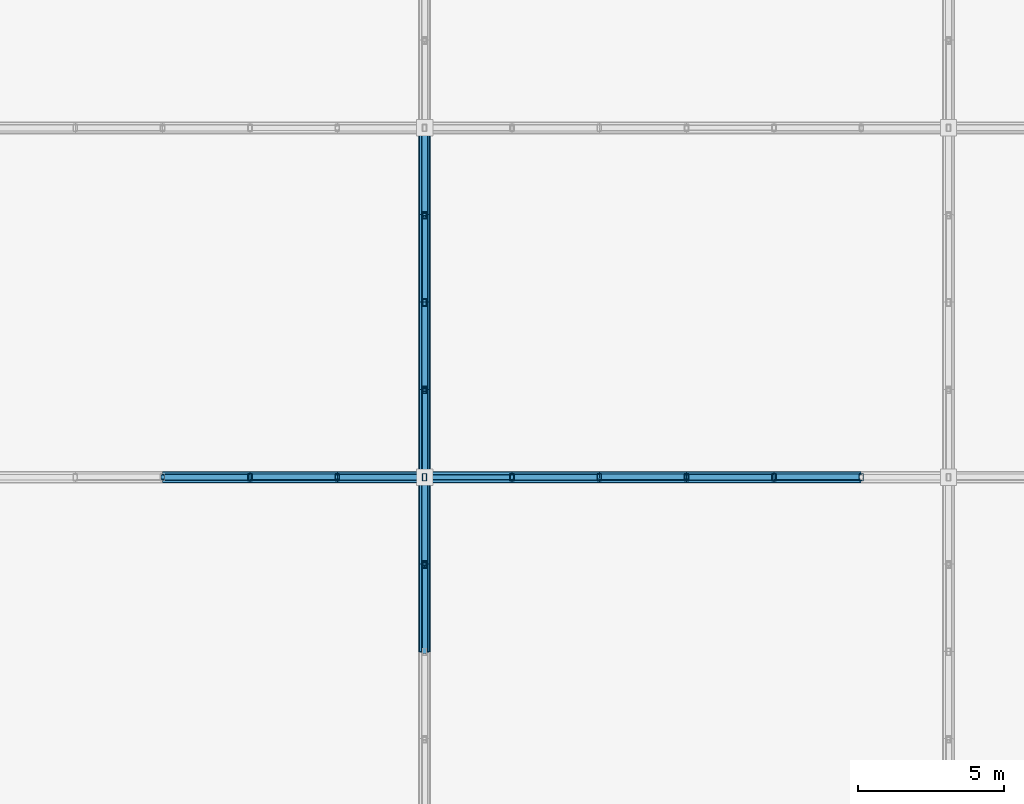
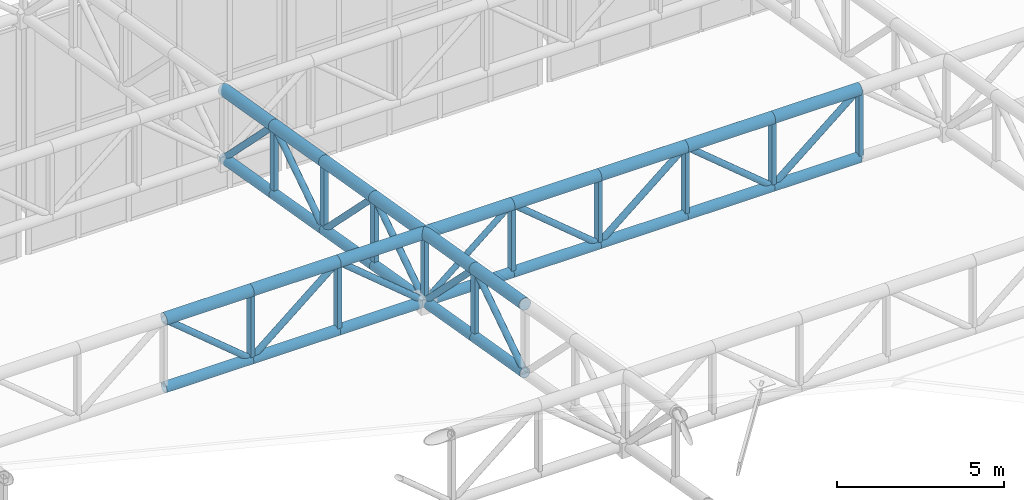
# One storey, part 120 of 239: 54 members.
"""IFC4 building model written with IfcOpenShell, lengths in metres."""

from ifc_helpers import new_model, si_unit, direction, frame, origin, origin_2d, place, context, subcontext, project, spatial, hollow_rectangle, hollow_circle, extrude, material, material_profile, profile_set, type_object, element, save


model = new_model("IFC4")

# Units and contexts
model_context = context("Model", 3, precision=1e-05, world=origin(), true_north=direction((0.0, 1.0)))
body_context = subcontext(model_context, "Body", "Model", "MODEL_VIEW")
ifc_project = project(units=[si_unit("LENGTHUNIT", "METRE"), si_unit("AREAUNIT", "SQUARE_METRE"), si_unit("VOLUMEUNIT", "CUBIC_METRE"), si_unit("PLANEANGLEUNIT", "RADIAN"), si_unit("MASSUNIT", "GRAM", prefix="KILO")], contexts=[model_context])

# Site, building, storey
site_placement = place(None, origin())
site = spatial("IfcSite", under=ifc_project, at=site_placement, CompositionType="ELEMENT")
building_placement = place(site_placement, origin())
building = spatial("IfcBuilding", under=site, at=building_placement, Name="Kaldris Quays Convention Centre", CompositionType="ELEMENT")
storey_placement = place(building_placement, frame((0.0, 0.0, 11.39990234375)))
storey = spatial("IfcBuildingStorey", under=building, at=storey_placement, Name="L02", CompositionType="ELEMENT", Elevation=11.39990234375)

# Members
ifc_material = material(Name="Steel S355J2H", Category="steel")
ifc_material_profile_1 = material_profile(ifc_material, hollow_circle(Radius=0.203125, WallThickness=0.01611328125, at=origin_2d()), Name="CHS 406.4x16")
ifc_profile_set_1 = profile_set([ifc_material_profile_1], Name="Steel S355J2H")
member_type_1 = type_object("IfcMemberType", Name="STRUCTURAL MEMBER SC01", PredefinedType="CHORD", material=ifc_profile_set_1)
for number, where, z_axis, x_axis, name in (
    (1, (83.0, 116.0, 13.7861328125), (1.0, 0.0, 0.0), (0.0, 1.0, 0.0), "SF-V1 Top Chord X 232"),
    (2, (86.0, 116.0, 13.7861328125), (1.0, 0.0, 0.0), (0.0, 1.0, 0.0), "SF-V1 Top Chord X 233"),
    (3, (89.0, 116.0, 13.7861328125), (1.0, 0.0, 0.0), (0.0, 1.0, 0.0), "SF-V1 Top Chord X 234"),
    (4, (92.0, 116.0, 13.7861328125), (1.0, 0.0, 0.0), (0.0, 1.0, 0.0), "SF-V1 Top Chord X 235"),
    (5, (95.0, 116.0, 13.7861328125), (1.0, 0.0, 0.0), (0.0, 1.0, 0.0), "SF-V1 Top Chord X 236"),
    (6, (98.0, 116.0, 13.7861328125), (1.0, 0.0, 0.0), (0.0, 1.0, 0.0), "SF-V1 Top Chord X 237"),
    (7, (101.0, 116.0, 13.7861328125), (1.0, 0.0, 0.0), (0.0, 1.0, 0.0), "SF-V1 Top Chord X 238"),
    (8, (104.0, 116.0, 13.7861328125), (1.0, 0.0, 0.0), (0.0, 1.0, 0.0), "SF-V1 Top Chord X 239"),
):
    element("IfcMember", number, at=place(storey_placement, frame(where, z_axis=z_axis, x_axis=x_axis)), inside=storey, type_object=member_type_1, Name=name, PredefinedType="CHORD", context=body_context, shape_type="SweptSolid", body=[
        extrude(hollow_circle(Radius=0.203125, WallThickness=0.01611328125, at=origin_2d()), origin(), (0.0, 0.0, 1.0), 3.0),
    ])
for number, where, z_axis, x_axis, name in (
    (9, (92.0, 110.0, 14.814697265625), (0.0, 0.98562912375, -0.168923741424), (-1.0, 0.0, 0.0), "SF-V1 Top Chord Y 467"),
    (10, (92.0, 113.0, 14.300537109375), (0.0, 0.985615766076, -0.169001661712), (-1.0, 0.0, 0.0), "SF-V1 Top Chord Y 468"),
    (11, (92.0, 116.0, 13.7861328125), (0.0, 0.98562912375, -0.168923741424), (-1.0, 0.0, 0.0), "SF-V1 Top Chord Y 469"),
    (12, (92.0, 119.0, 13.27197265625), (0.0, 0.985615766076, -0.169001661712), (-1.0, 0.0, 0.0), "SF-V1 Top Chord Y 470"),
    (13, (92.0, 122.0, 12.757568359375), (0.0, 0.98562912375, -0.168923741424), (-1.0, 0.0, 0.0), "SF-V1 Top Chord Y 471"),
    (14, (92.0, 125.0, 12.243408203125), (0.0, 0.985615766076, -0.169001661712), (-1.0, 0.0, 0.0), "SF-V1 Top Chord Y 472"),
):
    element("IfcMember", number, at=place(storey_placement, frame(where, z_axis=z_axis, x_axis=x_axis)), inside=storey, type_object=member_type_1, Name=name, PredefinedType="CHORD", context=body_context, shape_type="SweptSolid", body=[
        extrude(hollow_circle(Radius=0.203125, WallThickness=0.01611328125, at=origin_2d()), origin(), (0.0, 0.0, 1.0), 3.043701171875),
    ])
ifc_material_profile_2 = material_profile(ifc_material, hollow_circle(Radius=0.177734375, WallThickness=0.01611328125, at=origin_2d()), Name="CHS 355.6x16")
ifc_profile_set_2 = profile_set([ifc_material_profile_2], Name="Steel S355J2H")
member_type_2 = type_object("IfcMemberType", Name="STRUCTURAL MEMBER SC02", PredefinedType="CHORD", material=ifc_profile_set_2)
for number, where, z_axis, x_axis, name in (
    (15, (83.0, 116.0, 11.2861328125), (1.0, 0.0, 0.0), (0.0, 1.0, 0.0), "SF-V1 Bottom Chord X 232"),
    (16, (86.0, 116.0, 11.2861328125), (1.0, 0.0, 0.0), (0.0, 1.0, 0.0), "SF-V1 Bottom Chord X 233"),
    (17, (89.0, 116.0, 11.2861328125), (1.0, 0.0, 0.0), (0.0, 1.0, 0.0), "SF-V1 Bottom Chord X 234"),
    (18, (92.0, 116.0, 11.2861328125), (1.0, 0.0, 0.0), (0.0, 1.0, 0.0), "SF-V1 Bottom Chord X 235"),
    (19, (95.0, 116.0, 11.2861328125), (1.0, 0.0, 0.0), (0.0, 1.0, 0.0), "SF-V1 Bottom Chord X 236"),
    (20, (98.0, 116.0, 11.2861328125), (1.0, 0.0, 0.0), (0.0, 1.0, 0.0), "SF-V1 Bottom Chord X 237"),
    (21, (101.0, 116.0, 11.2861328125), (1.0, 0.0, 0.0), (0.0, 1.0, 0.0), "SF-V1 Bottom Chord X 238"),
    (22, (104.0, 116.0, 11.2861328125), (1.0, 0.0, 0.0), (0.0, 1.0, 0.0), "SF-V1 Bottom Chord X 239"),
):
    element("IfcMember", number, at=place(storey_placement, frame(where, z_axis=z_axis, x_axis=x_axis)), inside=storey, type_object=member_type_2, Name=name, PredefinedType="CHORD", context=body_context, shape_type="SweptSolid", body=[
        extrude(hollow_circle(Radius=0.177734375, WallThickness=0.01611328125, at=origin_2d()), origin(), (0.0, 0.0, 1.0), 3.0),
    ])
for number, where, z_axis, x_axis, name in (
    (23, (92.0, 110.0, 12.314697265625), (0.0, 0.98562912375, -0.168923741424), (-1.0, 0.0, 0.0), "SF-V1 Bottom Chord Y 467"),
    (24, (92.0, 113.0, 11.800537109375), (0.0, 0.985615766076, -0.169001661712), (-1.0, 0.0, 0.0), "SF-V1 Bottom Chord Y 468"),
    (25, (92.0, 116.0, 11.2861328125), (0.0, 0.98562912375, -0.168923741424), (-1.0, 0.0, 0.0), "SF-V1 Bottom Chord Y 469"),
    (26, (92.0, 119.0, 10.77197265625), (0.0, 0.985615766076, -0.169001661712), (-1.0, 0.0, 0.0), "SF-V1 Bottom Chord Y 470"),
    (27, (92.0, 122.0, 10.257568359375), (0.0, 0.98562912375, -0.168923741424), (-1.0, 0.0, 0.0), "SF-V1 Bottom Chord Y 471"),
    (28, (92.0, 125.0, 9.743408203125), (0.0, 0.985615766076, -0.169001661712), (-1.0, 0.0, 0.0), "SF-V1 Bottom Chord Y 472"),
):
    element("IfcMember", number, at=place(storey_placement, frame(where, z_axis=z_axis, x_axis=x_axis)), inside=storey, type_object=member_type_2, Name=name, PredefinedType="CHORD", context=body_context, shape_type="SweptSolid", body=[
        extrude(hollow_circle(Radius=0.177734375, WallThickness=0.01611328125, at=origin_2d()), origin(), (0.0, 0.0, 1.0), 3.043701171875),
    ])
ifc_material_profile_3 = material_profile(ifc_material, hollow_circle(Radius=0.109619140625, WallThickness=0.010009765625, at=origin_2d()), Name="CHS 219.1x10")
ifc_profile_set_3 = profile_set([ifc_material_profile_3], Name="Steel S355J2H")
member_type_3 = type_object("IfcMemberType", Name="STRUCTURAL MEMBER SWB1", PredefinedType="BRACE", material=ifc_profile_set_3)
for number, where, z_axis, x_axis, name in (
    (29, (86.0, 116.0, 11.2861328125), (-0.768221279597, 0.0, 0.640184399664), (0.0, -1.0, 0.0), "SF-V1 Web Diagonal X 232"),
    (30, (86.0, 116.0, 11.2861328125), (0.768221279597, 0.0, 0.640184399664), (0.0, 1.0, 0.0), "SF-V1 Web Diagonal X 233"),
    (31, (92.0, 116.0, 11.2861328125), (-0.768221279597, 0.0, 0.640184399664), (0.0, -1.0, 0.0), "SF-V1 Web Diagonal X 234"),
    (32, (98.0, 116.0, 11.2861328125), (-0.768221279597, 0.0, 0.640184399664), (0.0, -1.0, 0.0), "SF-V1 Web Diagonal X 236"),
    (33, (98.0, 116.0, 11.2861328125), (0.768221279597, 0.0, 0.640184399664), (0.0, 1.0, 0.0), "SF-V1 Web Diagonal X 237"),
    (34, (104.0, 116.0, 11.2861328125), (-0.768221279597, 0.0, 0.640184399664), (0.0, -1.0, 0.0), "SF-V1 Web Diagonal X 238"),
    (35, (104.0, 116.0, 11.2861328125), (0.768221279597, 0.0, 0.640184399664), (0.0, 1.0, 0.0), "SF-V1 Web Diagonal X 239"),
):
    element("IfcMember", number, at=place(storey_placement, frame(where, z_axis=z_axis, x_axis=x_axis)), inside=storey, type_object=member_type_3, Name=name, PredefinedType="BRACE", context=body_context, shape_type="SweptSolid", body=[
        extrude(hollow_circle(Radius=0.109619140625, WallThickness=0.010009765625, at=origin_2d()), origin(), (0.0, 0.0, 1.0), 3.905029296875),
    ])
member_1_placement = place(storey_placement, frame((92.0, 110.0, 12.314697265625), z_axis=(0.0, 0.833862389808, 0.551972385962), x_axis=(-1.0, 0.0, 0.0)))
element("IfcMember", 36, at=member_1_placement, inside=storey, type_object=member_type_3, Name="SF-V1 Web Diagonal Y 467", PredefinedType="BRACE", context=body_context, shape_type="SweptSolid", body=[
    extrude(hollow_circle(Radius=0.109619140625, WallThickness=0.010009765625, at=origin_2d()), origin(), (0.0, 0.0, 1.0), 3.59765625),
])
member_2_placement = place(storey_placement, frame((92.0, 116.0, 11.2861328125), z_axis=(0.0, -0.705411261057, 0.708798245465), x_axis=(1.0, 0.0, 0.0)))
element("IfcMember", 37, at=member_2_placement, inside=storey, type_object=member_type_3, Name="SF-V1 Web Diagonal Y 468", PredefinedType="BRACE", context=body_context, shape_type="SweptSolid", body=[
    extrude(hollow_circle(Radius=0.109619140625, WallThickness=0.010009765625, at=origin_2d()), origin(), (0.0, 0.0, 1.0), 4.2529296875),
])
member_3_placement = place(storey_placement, frame((92.0, 116.0, 11.2861328125), z_axis=(0.0, 0.833862389808, 0.551972385962), x_axis=(-1.0, 0.0, 0.0)))
element("IfcMember", 38, at=member_3_placement, inside=storey, type_object=member_type_3, Name="SF-V1 Web Diagonal Y 469", PredefinedType="BRACE", context=body_context, shape_type="SweptSolid", body=[
    extrude(hollow_circle(Radius=0.109619140625, WallThickness=0.010009765625, at=origin_2d()), origin(), (0.0, 0.0, 1.0), 3.59765625),
])
member_4_placement = place(storey_placement, frame((92.0, 122.0, 10.257568359375), z_axis=(0.0, -0.705411261057, 0.708798245465), x_axis=(1.0, 0.0, 0.0)))
element("IfcMember", 39, at=member_4_placement, inside=storey, type_object=member_type_3, Name="SF-V1 Web Diagonal Y 470", PredefinedType="BRACE", context=body_context, shape_type="SweptSolid", body=[
    extrude(hollow_circle(Radius=0.109619140625, WallThickness=0.010009765625, at=origin_2d()), origin(), (0.0, 0.0, 1.0), 4.2529296875),
])
member_5_placement = place(storey_placement, frame((92.0, 122.0, 10.257568359375), z_axis=(0.0, 0.833862389808, 0.551972385962), x_axis=(-1.0, 0.0, 0.0)))
element("IfcMember", 40, at=member_5_placement, inside=storey, type_object=member_type_3, Name="SF-V1 Web Diagonal Y 471", PredefinedType="BRACE", context=body_context, shape_type="SweptSolid", body=[
    extrude(hollow_circle(Radius=0.109619140625, WallThickness=0.010009765625, at=origin_2d()), origin(), (0.0, 0.0, 1.0), 3.59765625),
])
member_6_placement = place(storey_placement, frame((92.0, 128.0, 9.22900390625), z_axis=(0.0, -0.705411261057, 0.708798245465), x_axis=(1.0, 0.0, 0.0)))
element("IfcMember", 41, at=member_6_placement, inside=storey, type_object=member_type_3, Name="SF-V1 Web Diagonal Y 472", PredefinedType="BRACE", context=body_context, shape_type="SweptSolid", body=[
    extrude(hollow_circle(Radius=0.109619140625, WallThickness=0.010009765625, at=origin_2d()), origin(), (0.0, 0.0, 1.0), 4.2529296875),
])
ifc_material_profile_4 = material_profile(ifc_material, hollow_circle(Radius=0.096923828125, WallThickness=0.008056640625, at=origin_2d()), Name="CHS 193.7x8")
ifc_profile_set_4 = profile_set([ifc_material_profile_4], Name="Steel S355J2H")
member_type_4 = type_object("IfcMemberType", Name="STRUCTURAL MEMBER SWB3", PredefinedType="BRACE", material=ifc_profile_set_4)
member_7_placement = place(storey_placement, frame((92.0, 116.0, 11.2861328125), z_axis=(0.768221279597, 0.0, 0.640184399664), x_axis=(0.0, 1.0, 0.0)))
element("IfcMember", 42, at=member_7_placement, inside=storey, type_object=member_type_4, Name="SF-V1 Web Diagonal X 235", PredefinedType="BRACE", context=body_context, shape_type="SweptSolid", body=[
    extrude(hollow_circle(Radius=0.096923828125, WallThickness=0.008056640625, at=origin_2d()), origin(), (0.0, 0.0, 1.0), 3.905029296875),
])
ifc_material_profile_5 = material_profile(ifc_material, hollow_rectangle(XDim=0.14990234375, YDim=0.25, WallThickness=0.010009765625, at=origin_2d()), Name="RHS 250x150x10")
ifc_profile_set_5 = profile_set([ifc_material_profile_5], Name="Steel S355J2H")
member_type_5 = type_object("IfcMemberType", Name="STRUCTURAL MEMBER TTV1", PredefinedType="POST", material=ifc_profile_set_5)
for number, where, z_axis, x_axis, name in (
    (43, (86.0, 116.0, 11.2861328125), (0.0, 0.0, 1.0), (1.0, 0.0, 0.0), "SF-V1 Space-Frame Post 266"),
    (44, (89.0, 116.0, 11.2861328125), (0.0, 0.0, 1.0), (1.0, 0.0, 0.0), "SF-V1 Space-Frame Post 274"),
    (45, (92.0, 113.0, 11.800537109375), (0.0, 0.0, 1.0), (1.0, 0.0, 0.0), "SF-V1 Space-Frame Post 296"),
    (46, (92.0, 116.0, 11.2861328125), (0.0, 0.0, 1.0), (1.0, 0.0, 0.0), "SF-V1 Space-Frame Post 297"),
    (47, (92.0, 119.0, 10.77197265625), (0.0, 0.0, 1.0), (1.0, 0.0, 0.0), "SF-V1 Space-Frame Post 298"),
    (48, (92.0, 122.0, 10.257568359375), (0.0, 0.0, 1.0), (1.0, 0.0, 0.0), "SF-V1 Space-Frame Post 299"),
    (49, (92.0, 125.0, 9.743408203125), (0.0, 0.0, 1.0), (1.0, 0.0, 0.0), "SF-V1 Space-Frame Post 300"),
    (50, (95.0, 116.0, 11.2861328125), (0.0, 0.0, 1.0), (1.0, 0.0, 0.0), "SF-V1 Space-Frame Post 311"),
    (51, (98.0, 116.0, 11.2861328125), (0.0, 0.0, 1.0), (1.0, 0.0, 0.0), "SF-V1 Space-Frame Post 319"),
    (52, (101.0, 116.0, 11.2861328125), (0.0, 0.0, 1.0), (1.0, 0.0, 0.0), "SF-V1 Space-Frame Post 327"),
    (53, (104.0, 116.0, 11.2861328125), (0.0, 0.0, 1.0), (1.0, 0.0, 0.0), "SF-V1 Space-Frame Post 335"),
    (54, (107.0, 116.0, 11.2861328125), (0.0, 0.0, 1.0), (1.0, 0.0, 0.0), "SF-V1 Space-Frame Post 343"),
):
    element("IfcMember", number, at=place(storey_placement, frame(where, z_axis=z_axis, x_axis=x_axis)), inside=storey, type_object=member_type_5, Name=name, PredefinedType="POST", context=body_context, shape_type="SweptSolid", body=[
        extrude(hollow_rectangle(XDim=0.14990234375, YDim=0.25, WallThickness=0.010009765625, at=origin_2d()), origin(), (0.0, 0.0, 1.0), 2.5),
    ])

save(model, "model.ifc")
